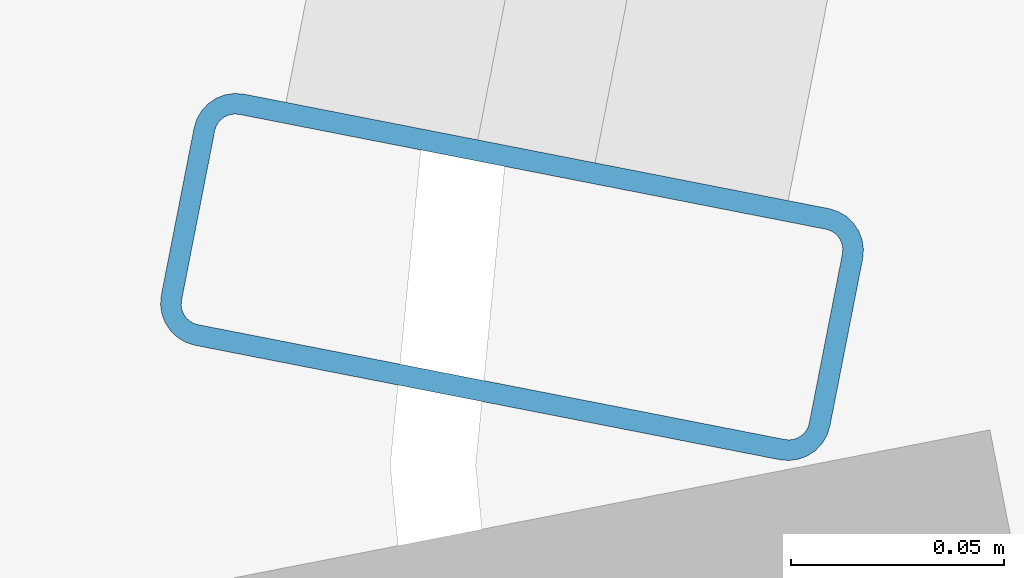
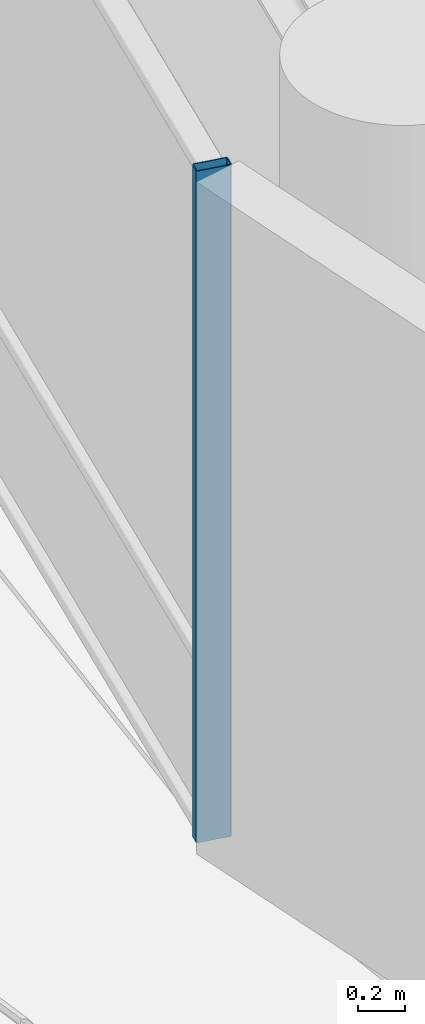
# One storey, part 6 of 31: 1 member, 1 element without a shape of its own.
"""IFC4 building model written with IfcOpenShell, lengths in metres."""

from ifc_helpers import new_model, si_unit, direction, frame, origin, origin_2d, place, context, subcontext, project, spatial, hollow_rectangle, extrude, material, layer, layer_set, material_profile, profile_set, type_object, element, aggregate, save


model = new_model("IFC4")

# Units and contexts
model_context = context("Model", 3, precision=1e-05, world=origin(), true_north=direction((0.0, 1.0)))
body_context = subcontext(model_context, "Body", "Model", "MODEL_VIEW")
ifc_project = project(units=[si_unit("LENGTHUNIT", "METRE"), si_unit("AREAUNIT", "SQUARE_METRE"), si_unit("VOLUMEUNIT", "CUBIC_METRE"), si_unit("PLANEANGLEUNIT", "RADIAN"), si_unit("MASSUNIT", "GRAM", prefix="KILO")], contexts=[model_context])

# Site, building, storey
site_placement = place(None, origin())
site = spatial("IfcSite", under=ifc_project, at=site_placement, CompositionType="ELEMENT")
building_placement = place(site_placement, origin())
building = spatial("IfcBuilding", under=site, at=building_placement, Name="Kelanora Arch Commons", CompositionType="ELEMENT")
storey_placement = place(building_placement, frame((0.0, 0.0, 193.199951171875)))
storey = spatial("IfcBuildingStorey", under=building, at=storey_placement, Name="L49", CompositionType="ELEMENT", Elevation=193.199951171875)

# Curtain wall, member
ifc_material_1 = material(Name="Terracotta ceramic-fritted low-E glass and aluminium", Category="masonry")
ifc_layer = layer(ifc_material_1, 0.175048828125)
ifc_layer_set = layer_set([ifc_layer], Name="Terracotta ceramic-fritted low-E glass and aluminium")
curtain_wall_type = type_object("IfcCurtainWallType", Name="CW-SYS-02", PredefinedType="NOTDEFINED", material=ifc_layer_set)
curtain_wall_placement = place(storey_placement, origin())
curtain_wall = element("IfcCurtainWall", 1, at=curtain_wall_placement, inside=storey, type_object=curtain_wall_type, Name="Unitised Curtain Wall L49-B08", PredefinedType="NOTDEFINED")
ifc_material_2 = material(Name="Powder-coated aluminium terracotta", Category="masonry")
ifc_material_profile = material_profile(ifc_material_2, hollow_rectangle(XDim=0.159912109375, YDim=0.06005859375, WallThickness=0.0048828125, InnerFilletRadius=0.0048828125, OuterFilletRadius=0.010009765625, at=origin_2d()), Name="CWM160x60")
ifc_profile_set = profile_set([ifc_material_profile], Name="Powder-coated aluminium terracotta")
member_type = type_object("IfcMemberType", Name="CWM-STD", PredefinedType="MULLION", material=ifc_profile_set)
member_placement = place(storey_placement, frame((51.80859375, 58.044189453125, 0.0), z_axis=(0.0, 0.0, 1.0), x_axis=(0.981381438349, -0.192068926335, 0.0)))
member = element("IfcMember", 2, at=member_placement, type_object=member_type, Name="CW-02 mullion 3", PredefinedType="MULLION", context=body_context, shape_type="SweptSolid", body=[
    extrude(hollow_rectangle(XDim=0.159912109375, YDim=0.06005859375, WallThickness=0.0048828125, InnerFilletRadius=0.0048828125, OuterFilletRadius=0.010009765625, at=origin_2d()), origin(), (0.0, 0.0, 1.0), 3.47509765625),
])
aggregate(curtain_wall, [member])

save(model, "model.ifc")
